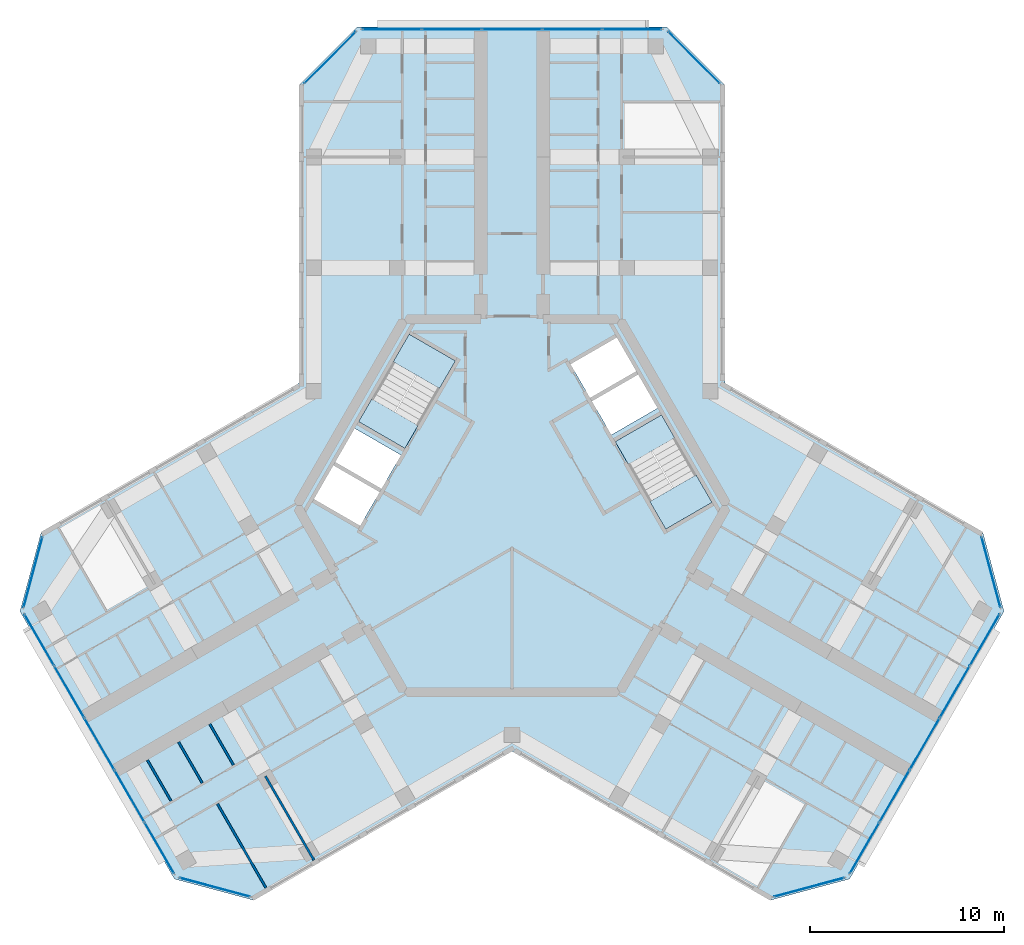
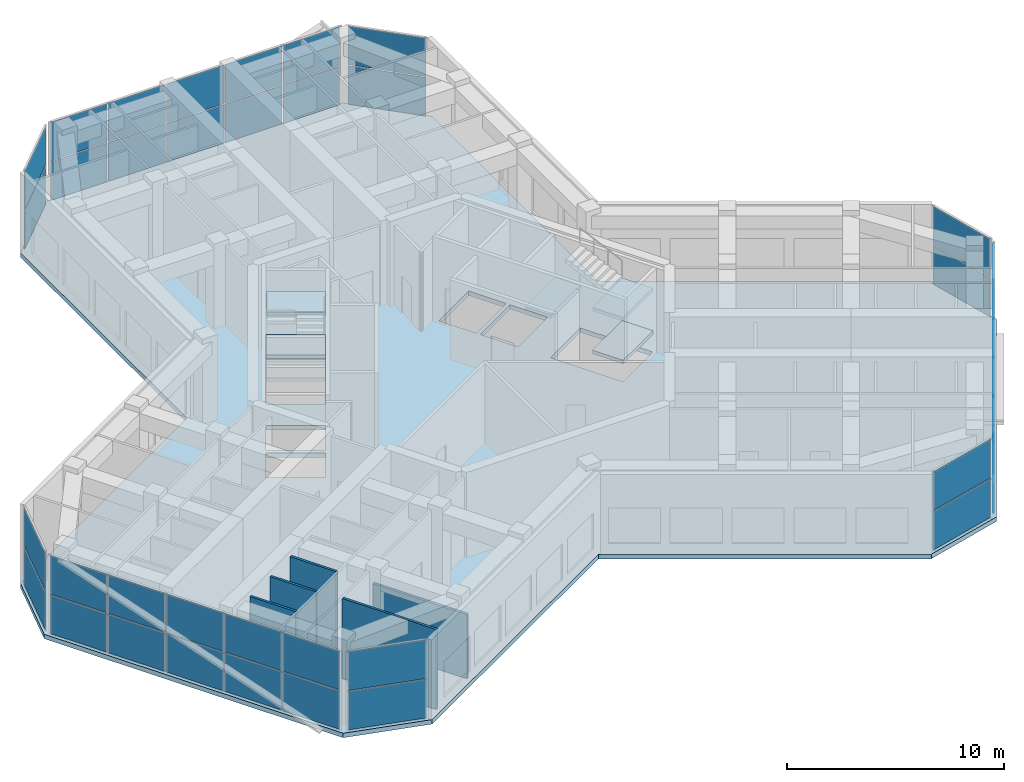
# One storey, part 6 of 14: 42 plates, 7 slabs, 5 walls, 11 elements without a shape of their own.
"""IFC4 building model written with IfcOpenShell, lengths in metres."""

from ifc_helpers import new_model, si_unit, direction, frame, frame_2d, origin, origin_2d, place, context, subcontext, project, spatial, polyline, rectangle, outline, extrude, material, layer, layer_set, type_object, element, aggregate, save


model = new_model("IFC4")

# Units and contexts
model_context = context("Model", 3, precision=1e-05, world=origin(), true_north=direction((0.0, 1.0)))
body_context = subcontext(model_context, "Body", "Model", "MODEL_VIEW")
ifc_project = project(units=[si_unit("LENGTHUNIT", "METRE"), si_unit("AREAUNIT", "SQUARE_METRE"), si_unit("VOLUMEUNIT", "CUBIC_METRE"), si_unit("PLANEANGLEUNIT", "RADIAN"), si_unit("MASSUNIT", "GRAM", prefix="KILO")], contexts=[model_context])

# Site, building, storey
site_placement = place(None, origin())
site = spatial("IfcSite", under=ifc_project, at=site_placement, CompositionType="ELEMENT")
building_placement = place(site_placement, origin())
building = spatial("IfcBuilding", under=site, at=building_placement, Name="Kosmar Iwan School Tower", CompositionType="ELEMENT")
storey_placement = place(building_placement, frame((0.0, 0.0, 296.199951171875)))
storey = spatial("IfcBuildingStorey", under=building, at=storey_placement, Name="L75", CompositionType="ELEMENT", Elevation=296.199951171875)

# Curtain wall, plates
ifc_material_1 = material(Name="Dark glass in black aluminium frame", Category="aluminium")
curtain_wall_type = type_object("IfcCurtainWallType", Name="Top floor curtain wall", PredefinedType="USERDEFINED", material=ifc_material_1)
curtain_wall_1_placement = place(storey_placement, origin())
curtain_wall_1 = element("IfcCurtainWall", 1, at=curtain_wall_1_placement, inside=storey, type_object=curtain_wall_type, Name="Curtain wall L75-F02", ObjectType="FULL HEIGHT CURTAIN WALL", PredefinedType="USERDEFINED")
ifc_material_2 = material(Name="Dark glass", Category="glass")
ifc_layer_1 = layer(ifc_material_2, 0.028076171875)
ifc_layer_set_1 = layer_set([ifc_layer_1], Name="Dark glass panel 28")
plate_type = type_object("IfcPlateType", Name="Dark glass panel 28", PredefinedType="CURTAIN_PANEL", material=ifc_layer_set_1)
plate_1_placement = place(storey_placement, frame((15.291015625, -19.63818359375, 0.06005859375), z_axis=(0.0, 0.0, 1.0), x_axis=(0.965925875495, 0.258818861462, 0.0)))
plate_1 = element("IfcPlate", 2, at=plate_1_placement, type_object=plate_type, Name="CW5 panel 1.1", PredefinedType="CURTAIN_PANEL", context=body_context, shape_type="SweptSolid", body=[
    extrude(rectangle(XDim=3.718994140625, YDim=0.028076171875, at=origin_2d()), origin(), (0.0, 0.0, 1.0), 2.159912109375),
])
plate_2_placement = place(storey_placement, frame((15.291015625, -19.63818359375, 2.2802734375), z_axis=(0.0, 0.0, 1.0), x_axis=(0.965925875495, 0.258818861462, 0.0)))
plate_2 = element("IfcPlate", 3, at=plate_2_placement, type_object=plate_type, Name="CW5 panel 1.2", PredefinedType="CURTAIN_PANEL", context=body_context, shape_type="SweptSolid", body=[
    extrude(rectangle(XDim=3.718994140625, YDim=0.028076171875, at=origin_2d()), origin(), (0.0, 0.0, 1.0), 2.159912109375),
])
aggregate(curtain_wall_1, [plate_1, plate_2])

curtain_wall_2_placement = place(storey_placement, origin())
curtain_wall_2 = element("IfcCurtainWall", 4, at=curtain_wall_2_placement, inside=storey, type_object=curtain_wall_type, Name="Curtain wall L75-F03", ObjectType="FULL HEIGHT CURTAIN WALL", PredefinedType="USERDEFINED")
plate_3_placement = place(storey_placement, frame((18.1474609375, -17.61767578125, 0.06005859375), z_axis=(0.0, 0.0, 1.0), x_axis=(0.499999997325, 0.866025405329, 0.0)))
plate_3 = element("IfcPlate", 5, at=plate_3_placement, type_object=plate_type, Name="CW5 panel 1.1", PredefinedType="CURTAIN_PANEL", context=body_context, shape_type="SweptSolid", body=[
    extrude(rectangle(XDim=3.00927734375, YDim=0.028076171875, at=origin_2d()), origin(), (0.0, 0.0, 1.0), 2.159912109375),
])
plate_4_placement = place(storey_placement, frame((18.1474609375, -17.61767578125, 2.2802734375), z_axis=(0.0, 0.0, 1.0), x_axis=(0.499999997325, 0.866025405329, 0.0)))
plate_4 = element("IfcPlate", 6, at=plate_4_placement, type_object=plate_type, Name="CW5 panel 1.2", PredefinedType="CURTAIN_PANEL", context=body_context, shape_type="SweptSolid", body=[
    extrude(rectangle(XDim=3.00927734375, YDim=0.028076171875, at=origin_2d()), origin(), (0.0, 0.0, 1.0), 2.159912109375),
])
plate_5_placement = place(storey_placement, frame((19.689697265625, -14.946533203125, 0.06005859375), z_axis=(0.0, 0.0, 1.0), x_axis=(0.499999997325, 0.866025405329, 0.0)))
plate_5 = element("IfcPlate", 7, at=plate_5_placement, type_object=plate_type, Name="CW5 panel 2.1", PredefinedType="CURTAIN_PANEL", context=body_context, shape_type="SweptSolid", body=[
    extrude(rectangle(XDim=3.039306640625, YDim=0.028076171875, at=origin_2d()), origin(), (0.0, 0.0, 1.0), 2.159912109375),
])
plate_6_placement = place(storey_placement, frame((19.689697265625, -14.946533203125, 2.2802734375), z_axis=(0.0, 0.0, 1.0), x_axis=(0.499999997325, 0.866025405329, 0.0)))
plate_6 = element("IfcPlate", 8, at=plate_6_placement, type_object=plate_type, Name="CW5 panel 2.2", PredefinedType="CURTAIN_PANEL", context=body_context, shape_type="SweptSolid", body=[
    extrude(rectangle(XDim=3.039306640625, YDim=0.028076171875, at=origin_2d()), origin(), (0.0, 0.0, 1.0), 2.159912109375),
])
plate_7_placement = place(storey_placement, frame((21.2392578125, -12.262451171875, 0.06005859375), z_axis=(0.0, 0.0, 1.0), x_axis=(0.499999997325, 0.866025405329, 0.0)))
plate_7 = element("IfcPlate", 9, at=plate_7_placement, type_object=plate_type, Name="CW5 panel 3.1", PredefinedType="CURTAIN_PANEL", context=body_context, shape_type="SweptSolid", body=[
    extrude(rectangle(XDim=3.039306640625, YDim=0.028076171875, at=origin_2d()), origin(), (0.0, 0.0, 1.0), 2.159912109375),
])
plate_8_placement = place(storey_placement, frame((21.2392578125, -12.262451171875, 2.2802734375), z_axis=(0.0, 0.0, 1.0), x_axis=(0.499999997325, 0.866025405329, 0.0)))
plate_8 = element("IfcPlate", 10, at=plate_8_placement, type_object=plate_type, Name="CW5 panel 3.2", PredefinedType="CURTAIN_PANEL", context=body_context, shape_type="SweptSolid", body=[
    extrude(rectangle(XDim=3.039306640625, YDim=0.028076171875, at=origin_2d()), origin(), (0.0, 0.0, 1.0), 2.159912109375),
])
plate_9_placement = place(storey_placement, frame((22.788818359375, -9.578369140625, 0.06005859375), z_axis=(0.0, 0.0, 1.0), x_axis=(0.499999997325, 0.866025405329, 0.0)))
plate_9 = element("IfcPlate", 11, at=plate_9_placement, type_object=plate_type, Name="CW5 panel 4.1", PredefinedType="CURTAIN_PANEL", context=body_context, shape_type="SweptSolid", body=[
    extrude(rectangle(XDim=3.039306640625, YDim=0.028076171875, at=origin_2d()), origin(), (0.0, 0.0, 1.0), 2.159912109375),
])
plate_10_placement = place(storey_placement, frame((22.788818359375, -9.578369140625, 2.2802734375), z_axis=(0.0, 0.0, 1.0), x_axis=(0.499999997325, 0.866025405329, 0.0)))
plate_10 = element("IfcPlate", 12, at=plate_10_placement, type_object=plate_type, Name="CW5 panel 4.2", PredefinedType="CURTAIN_PANEL", context=body_context, shape_type="SweptSolid", body=[
    extrude(rectangle(XDim=3.039306640625, YDim=0.028076171875, at=origin_2d()), origin(), (0.0, 0.0, 1.0), 2.159912109375),
])
plate_11_placement = place(storey_placement, frame((24.3310546875, -6.907470703125, 0.06005859375), z_axis=(0.0, 0.0, 1.0), x_axis=(0.499999997325, 0.866025405329, 0.0)))
plate_11 = element("IfcPlate", 13, at=plate_11_placement, type_object=plate_type, Name="CW5 panel 5.1", PredefinedType="CURTAIN_PANEL", context=body_context, shape_type="SweptSolid", body=[
    extrude(rectangle(XDim=3.00927734375, YDim=0.028076171875, at=origin_2d()), origin(), (0.0, 0.0, 1.0), 2.159912109375),
])
plate_12_placement = place(storey_placement, frame((24.3310546875, -6.907470703125, 2.2802734375), z_axis=(0.0, 0.0, 1.0), x_axis=(0.499999997325, 0.866025405329, 0.0)))
plate_12 = element("IfcPlate", 14, at=plate_12_placement, type_object=plate_type, Name="CW5 panel 5.2", PredefinedType="CURTAIN_PANEL", context=body_context, shape_type="SweptSolid", body=[
    extrude(rectangle(XDim=3.00927734375, YDim=0.028076171875, at=origin_2d()), origin(), (0.0, 0.0, 1.0), 2.159912109375),
])
aggregate(curtain_wall_2, [plate_3, plate_4, plate_5, plate_6, plate_7, plate_8, plate_9, plate_10, plate_11, plate_12])

curtain_wall_3_placement = place(storey_placement, origin())
curtain_wall_3 = element("IfcCurtainWall", 15, at=curtain_wall_3_placement, inside=storey, type_object=curtain_wall_type, Name="Curtain wall L75-F04", ObjectType="FULL HEIGHT CURTAIN WALL", PredefinedType="USERDEFINED")
plate_13_placement = place(storey_placement, frame((24.65283203125, -3.42333984375, 0.06005859375), z_axis=(0.0, 0.0, 1.0), x_axis=(-0.258818861462, 0.965925875495, 0.0)))
plate_13 = element("IfcPlate", 16, at=plate_13_placement, type_object=plate_type, Name="CW5 panel 1.1", PredefinedType="CURTAIN_PANEL", context=body_context, shape_type="SweptSolid", body=[
    extrude(rectangle(XDim=3.718994140625, YDim=0.028076171875, at=origin_2d()), origin(), (0.0, 0.0, 1.0), 2.159912109375),
])
plate_14_placement = place(storey_placement, frame((24.65283203125, -3.42333984375, 2.2802734375), z_axis=(0.0, 0.0, 1.0), x_axis=(-0.258818861462, 0.965925875495, 0.0)))
plate_14 = element("IfcPlate", 17, at=plate_14_placement, type_object=plate_type, Name="CW5 panel 1.2", PredefinedType="CURTAIN_PANEL", context=body_context, shape_type="SweptSolid", body=[
    extrude(rectangle(XDim=3.718994140625, YDim=0.028076171875, at=origin_2d()), origin(), (0.0, 0.0, 1.0), 2.159912109375),
])
aggregate(curtain_wall_3, [plate_13, plate_14])

curtain_wall_4_placement = place(storey_placement, origin())
curtain_wall_4 = element("IfcCurtainWall", 18, at=curtain_wall_4_placement, inside=storey, type_object=curtain_wall_type, Name="Curtain wall L75-F07", ObjectType="FULL HEIGHT CURTAIN WALL", PredefinedType="USERDEFINED")
plate_15_placement = place(storey_placement, frame((9.361572265625, 23.0615234375, 0.06005859375), z_axis=(0.0, 0.0, 1.0), x_axis=(-0.707106781187, 0.707106781187, 0.0)))
plate_15 = element("IfcPlate", 19, at=plate_15_placement, type_object=plate_type, Name="CW5 panel 1.1", PredefinedType="CURTAIN_PANEL", context=body_context, shape_type="SweptSolid", body=[
    extrude(rectangle(XDim=3.718994140625, YDim=0.028076171875, at=origin_2d()), origin(), (0.0, 0.0, 1.0), 2.159912109375),
])
plate_16_placement = place(storey_placement, frame((9.361572265625, 23.0615234375, 2.2802734375), z_axis=(0.0, 0.0, 1.0), x_axis=(-0.707106781187, 0.707106781187, 0.0)))
plate_16 = element("IfcPlate", 20, at=plate_16_placement, type_object=plate_type, Name="CW5 panel 1.2", PredefinedType="CURTAIN_PANEL", context=body_context, shape_type="SweptSolid", body=[
    extrude(rectangle(XDim=3.718994140625, YDim=0.028076171875, at=origin_2d()), origin(), (0.0, 0.0, 1.0), 2.159912109375),
])
aggregate(curtain_wall_4, [plate_15, plate_16])

curtain_wall_5_placement = place(storey_placement, origin())
curtain_wall_5 = element("IfcCurtainWall", 21, at=curtain_wall_5_placement, inside=storey, type_object=curtain_wall_type, Name="Curtain wall L75-F08", ObjectType="FULL HEIGHT CURTAIN WALL", PredefinedType="USERDEFINED")
plate_17_placement = place(storey_placement, frame((6.18359375, 24.52490234375, 0.06005859375), z_axis=(0.0, 0.0, 1.0), x_axis=(-1.0, 0.0, 0.0)))
plate_17 = element("IfcPlate", 22, at=plate_17_placement, type_object=plate_type, Name="CW5 panel 1.1", PredefinedType="CURTAIN_PANEL", context=body_context, shape_type="SweptSolid", body=[
    extrude(rectangle(XDim=3.00927734375, YDim=0.028076171875, at=origin_2d()), origin(), (0.0, 0.0, 1.0), 2.159912109375),
])
plate_18_placement = place(storey_placement, frame((6.18359375, 24.52490234375, 2.2802734375), z_axis=(0.0, 0.0, 1.0), x_axis=(-1.0, 0.0, 0.0)))
plate_18 = element("IfcPlate", 23, at=plate_18_placement, type_object=plate_type, Name="CW5 panel 1.2", PredefinedType="CURTAIN_PANEL", context=body_context, shape_type="SweptSolid", body=[
    extrude(rectangle(XDim=3.00927734375, YDim=0.028076171875, at=origin_2d()), origin(), (0.0, 0.0, 1.0), 2.159912109375),
])
plate_19_placement = place(storey_placement, frame((3.099365234375, 24.52490234375, 0.06005859375), z_axis=(0.0, 0.0, 1.0), x_axis=(-1.0, 0.0, 0.0)))
plate_19 = element("IfcPlate", 24, at=plate_19_placement, type_object=plate_type, Name="CW5 panel 2.1", PredefinedType="CURTAIN_PANEL", context=body_context, shape_type="SweptSolid", body=[
    extrude(rectangle(XDim=3.039306640625, YDim=0.028076171875, at=origin_2d()), origin(), (0.0, 0.0, 1.0), 2.159912109375),
])
plate_20_placement = place(storey_placement, frame((3.099365234375, 24.52490234375, 2.2802734375), z_axis=(0.0, 0.0, 1.0), x_axis=(-1.0, 0.0, 0.0)))
plate_20 = element("IfcPlate", 25, at=plate_20_placement, type_object=plate_type, Name="CW5 panel 2.2", PredefinedType="CURTAIN_PANEL", context=body_context, shape_type="SweptSolid", body=[
    extrude(rectangle(XDim=3.039306640625, YDim=0.028076171875, at=origin_2d()), origin(), (0.0, 0.0, 1.0), 2.159912109375),
])
plate_21_placement = place(storey_placement, frame((0.0, 24.52490234375, 0.06005859375), z_axis=(0.0, 0.0, 1.0), x_axis=(-1.0, 0.0, 0.0)))
plate_21 = element("IfcPlate", 26, at=plate_21_placement, type_object=plate_type, Name="CW5 panel 3.1", PredefinedType="CURTAIN_PANEL", context=body_context, shape_type="SweptSolid", body=[
    extrude(rectangle(XDim=3.039306640625, YDim=0.028076171875, at=origin_2d()), origin(), (0.0, 0.0, 1.0), 2.159912109375),
])
plate_22_placement = place(storey_placement, frame((0.0, 24.52490234375, 2.2802734375), z_axis=(0.0, 0.0, 1.0), x_axis=(-1.0, 0.0, 0.0)))
plate_22 = element("IfcPlate", 27, at=plate_22_placement, type_object=plate_type, Name="CW5 panel 3.2", PredefinedType="CURTAIN_PANEL", context=body_context, shape_type="SweptSolid", body=[
    extrude(rectangle(XDim=3.039306640625, YDim=0.028076171875, at=origin_2d()), origin(), (0.0, 0.0, 1.0), 2.159912109375),
])
plate_23_placement = place(storey_placement, frame((-3.099365234375, 24.52490234375, 0.06005859375), z_axis=(0.0, 0.0, 1.0), x_axis=(-1.0, 0.0, 0.0)))
plate_23 = element("IfcPlate", 28, at=plate_23_placement, type_object=plate_type, Name="CW5 panel 4.1", PredefinedType="CURTAIN_PANEL", context=body_context, shape_type="SweptSolid", body=[
    extrude(rectangle(XDim=3.039306640625, YDim=0.028076171875, at=origin_2d()), origin(), (0.0, 0.0, 1.0), 2.159912109375),
])
plate_24_placement = place(storey_placement, frame((-3.099365234375, 24.52490234375, 2.2802734375), z_axis=(0.0, 0.0, 1.0), x_axis=(-1.0, 0.0, 0.0)))
plate_24 = element("IfcPlate", 29, at=plate_24_placement, type_object=plate_type, Name="CW5 panel 4.2", PredefinedType="CURTAIN_PANEL", context=body_context, shape_type="SweptSolid", body=[
    extrude(rectangle(XDim=3.039306640625, YDim=0.028076171875, at=origin_2d()), origin(), (0.0, 0.0, 1.0), 2.159912109375),
])
plate_25_placement = place(storey_placement, frame((-6.18359375, 24.52490234375, 0.06005859375), z_axis=(0.0, 0.0, 1.0), x_axis=(-1.0, 0.0, 0.0)))
plate_25 = element("IfcPlate", 30, at=plate_25_placement, type_object=plate_type, Name="CW5 panel 5.1", PredefinedType="CURTAIN_PANEL", context=body_context, shape_type="SweptSolid", body=[
    extrude(rectangle(XDim=3.00927734375, YDim=0.028076171875, at=origin_2d()), origin(), (0.0, 0.0, 1.0), 2.159912109375),
])
plate_26_placement = place(storey_placement, frame((-6.18359375, 24.52490234375, 2.2802734375), z_axis=(0.0, 0.0, 1.0), x_axis=(-1.0, 0.0, 0.0)))
plate_26 = element("IfcPlate", 31, at=plate_26_placement, type_object=plate_type, Name="CW5 panel 5.2", PredefinedType="CURTAIN_PANEL", context=body_context, shape_type="SweptSolid", body=[
    extrude(rectangle(XDim=3.00927734375, YDim=0.028076171875, at=origin_2d()), origin(), (0.0, 0.0, 1.0), 2.159912109375),
])
aggregate(curtain_wall_5, [plate_17, plate_18, plate_19, plate_20, plate_21, plate_22, plate_23, plate_24, plate_25, plate_26])

curtain_wall_6_placement = place(storey_placement, origin())
curtain_wall_6 = element("IfcCurtainWall", 32, at=curtain_wall_6_placement, inside=storey, type_object=curtain_wall_type, Name="Curtain wall L75-F09", ObjectType="FULL HEIGHT CURTAIN WALL", PredefinedType="USERDEFINED")
plate_27_placement = place(storey_placement, frame((-9.361572265625, 23.0615234375, 0.06005859375), z_axis=(0.0, 0.0, 1.0), x_axis=(-0.707106781187, -0.707106781187, 0.0)))
plate_27 = element("IfcPlate", 33, at=plate_27_placement, type_object=plate_type, Name="CW5 panel 1.1", PredefinedType="CURTAIN_PANEL", context=body_context, shape_type="SweptSolid", body=[
    extrude(rectangle(XDim=3.718994140625, YDim=0.028076171875, at=origin_2d()), origin(), (0.0, 0.0, 1.0), 2.159912109375),
])
plate_28_placement = place(storey_placement, frame((-9.361572265625, 23.0615234375, 2.2802734375), z_axis=(0.0, 0.0, 1.0), x_axis=(-0.707106781187, -0.707106781187, 0.0)))
plate_28 = element("IfcPlate", 34, at=plate_28_placement, type_object=plate_type, Name="CW5 panel 1.2", PredefinedType="CURTAIN_PANEL", context=body_context, shape_type="SweptSolid", body=[
    extrude(rectangle(XDim=3.718994140625, YDim=0.028076171875, at=origin_2d()), origin(), (0.0, 0.0, 1.0), 2.159912109375),
])
aggregate(curtain_wall_6, [plate_27, plate_28])

curtain_wall_7_placement = place(storey_placement, origin())
curtain_wall_7 = element("IfcCurtainWall", 35, at=curtain_wall_7_placement, inside=storey, type_object=curtain_wall_type, Name="Curtain wall L75-F12", ObjectType="FULL HEIGHT CURTAIN WALL", PredefinedType="USERDEFINED")
plate_29_placement = place(storey_placement, frame((-24.65283203125, -3.42333984375, 0.06005859375), z_axis=(0.0, 0.0, 1.0), x_axis=(-0.258818861462, -0.965925875495, 0.0)))
plate_29 = element("IfcPlate", 36, at=plate_29_placement, type_object=plate_type, Name="CW5 panel 1.1", PredefinedType="CURTAIN_PANEL", context=body_context, shape_type="SweptSolid", body=[
    extrude(rectangle(XDim=3.718994140625, YDim=0.028076171875, at=origin_2d()), origin(), (0.0, 0.0, 1.0), 2.159912109375),
])
plate_30_placement = place(storey_placement, frame((-24.65283203125, -3.42333984375, 2.2802734375), z_axis=(0.0, 0.0, 1.0), x_axis=(-0.258818861462, -0.965925875495, 0.0)))
plate_30 = element("IfcPlate", 37, at=plate_30_placement, type_object=plate_type, Name="CW5 panel 1.2", PredefinedType="CURTAIN_PANEL", context=body_context, shape_type="SweptSolid", body=[
    extrude(rectangle(XDim=3.718994140625, YDim=0.028076171875, at=origin_2d()), origin(), (0.0, 0.0, 1.0), 2.159912109375),
])
aggregate(curtain_wall_7, [plate_29, plate_30])

curtain_wall_8_placement = place(storey_placement, origin())
curtain_wall_8 = element("IfcCurtainWall", 38, at=curtain_wall_8_placement, inside=storey, type_object=curtain_wall_type, Name="Curtain wall L75-F13", ObjectType="FULL HEIGHT CURTAIN WALL", PredefinedType="USERDEFINED")
plate_31_placement = place(storey_placement, frame((-24.3310546875, -6.907470703125, 0.06005859375), z_axis=(0.0, 0.0, 1.0), x_axis=(0.499999997325, -0.866025405329, 0.0)))
plate_31 = element("IfcPlate", 39, at=plate_31_placement, type_object=plate_type, Name="CW5 panel 1.1", PredefinedType="CURTAIN_PANEL", context=body_context, shape_type="SweptSolid", body=[
    extrude(rectangle(XDim=3.00927734375, YDim=0.028076171875, at=origin_2d()), origin(), (0.0, 0.0, 1.0), 2.159912109375),
])
plate_32_placement = place(storey_placement, frame((-24.3310546875, -6.907470703125, 2.2802734375), z_axis=(0.0, 0.0, 1.0), x_axis=(0.499999997325, -0.866025405329, 0.0)))
plate_32 = element("IfcPlate", 40, at=plate_32_placement, type_object=plate_type, Name="CW5 panel 1.2", PredefinedType="CURTAIN_PANEL", context=body_context, shape_type="SweptSolid", body=[
    extrude(rectangle(XDim=3.00927734375, YDim=0.028076171875, at=origin_2d()), origin(), (0.0, 0.0, 1.0), 2.159912109375),
])
plate_33_placement = place(storey_placement, frame((-22.788818359375, -9.578369140625, 0.06005859375), z_axis=(0.0, 0.0, 1.0), x_axis=(0.499999997325, -0.866025405329, 0.0)))
plate_33 = element("IfcPlate", 41, at=plate_33_placement, type_object=plate_type, Name="CW5 panel 2.1", PredefinedType="CURTAIN_PANEL", context=body_context, shape_type="SweptSolid", body=[
    extrude(rectangle(XDim=3.039306640625, YDim=0.028076171875, at=origin_2d()), origin(), (0.0, 0.0, 1.0), 2.159912109375),
])
plate_34_placement = place(storey_placement, frame((-22.788818359375, -9.578369140625, 2.2802734375), z_axis=(0.0, 0.0, 1.0), x_axis=(0.499999997325, -0.866025405329, 0.0)))
plate_34 = element("IfcPlate", 42, at=plate_34_placement, type_object=plate_type, Name="CW5 panel 2.2", PredefinedType="CURTAIN_PANEL", context=body_context, shape_type="SweptSolid", body=[
    extrude(rectangle(XDim=3.039306640625, YDim=0.028076171875, at=origin_2d()), origin(), (0.0, 0.0, 1.0), 2.159912109375),
])
plate_35_placement = place(storey_placement, frame((-21.2392578125, -12.262451171875, 0.06005859375), z_axis=(0.0, 0.0, 1.0), x_axis=(0.499999997325, -0.866025405329, 0.0)))
plate_35 = element("IfcPlate", 43, at=plate_35_placement, type_object=plate_type, Name="CW5 panel 3.1", PredefinedType="CURTAIN_PANEL", context=body_context, shape_type="SweptSolid", body=[
    extrude(rectangle(XDim=3.039306640625, YDim=0.028076171875, at=origin_2d()), origin(), (0.0, 0.0, 1.0), 2.159912109375),
])
plate_36_placement = place(storey_placement, frame((-21.2392578125, -12.262451171875, 2.2802734375), z_axis=(0.0, 0.0, 1.0), x_axis=(0.499999997325, -0.866025405329, 0.0)))
plate_36 = element("IfcPlate", 44, at=plate_36_placement, type_object=plate_type, Name="CW5 panel 3.2", PredefinedType="CURTAIN_PANEL", context=body_context, shape_type="SweptSolid", body=[
    extrude(rectangle(XDim=3.039306640625, YDim=0.028076171875, at=origin_2d()), origin(), (0.0, 0.0, 1.0), 2.159912109375),
])
plate_37_placement = place(storey_placement, frame((-19.689697265625, -14.946533203125, 0.06005859375), z_axis=(0.0, 0.0, 1.0), x_axis=(0.499999997325, -0.866025405329, 0.0)))
plate_37 = element("IfcPlate", 45, at=plate_37_placement, type_object=plate_type, Name="CW5 panel 4.1", PredefinedType="CURTAIN_PANEL", context=body_context, shape_type="SweptSolid", body=[
    extrude(rectangle(XDim=3.039306640625, YDim=0.028076171875, at=origin_2d()), origin(), (0.0, 0.0, 1.0), 2.159912109375),
])
plate_38_placement = place(storey_placement, frame((-19.689697265625, -14.946533203125, 2.2802734375), z_axis=(0.0, 0.0, 1.0), x_axis=(0.499999997325, -0.866025405329, 0.0)))
plate_38 = element("IfcPlate", 46, at=plate_38_placement, type_object=plate_type, Name="CW5 panel 4.2", PredefinedType="CURTAIN_PANEL", context=body_context, shape_type="SweptSolid", body=[
    extrude(rectangle(XDim=3.039306640625, YDim=0.028076171875, at=origin_2d()), origin(), (0.0, 0.0, 1.0), 2.159912109375),
])
plate_39_placement = place(storey_placement, frame((-18.1474609375, -17.61767578125, 0.06005859375), z_axis=(0.0, 0.0, 1.0), x_axis=(0.499999997325, -0.866025405329, 0.0)))
plate_39 = element("IfcPlate", 47, at=plate_39_placement, type_object=plate_type, Name="CW5 panel 5.1", PredefinedType="CURTAIN_PANEL", context=body_context, shape_type="SweptSolid", body=[
    extrude(rectangle(XDim=3.00927734375, YDim=0.028076171875, at=origin_2d()), origin(), (0.0, 0.0, 1.0), 2.159912109375),
])
plate_40_placement = place(storey_placement, frame((-18.1474609375, -17.61767578125, 2.2802734375), z_axis=(0.0, 0.0, 1.0), x_axis=(0.499999997325, -0.866025405329, 0.0)))
plate_40 = element("IfcPlate", 48, at=plate_40_placement, type_object=plate_type, Name="CW5 panel 5.2", PredefinedType="CURTAIN_PANEL", context=body_context, shape_type="SweptSolid", body=[
    extrude(rectangle(XDim=3.00927734375, YDim=0.028076171875, at=origin_2d()), origin(), (0.0, 0.0, 1.0), 2.159912109375),
])
aggregate(curtain_wall_8, [plate_31, plate_32, plate_33, plate_34, plate_35, plate_36, plate_37, plate_38, plate_39, plate_40])

curtain_wall_9_placement = place(storey_placement, origin())
curtain_wall_9 = element("IfcCurtainWall", 49, at=curtain_wall_9_placement, inside=storey, type_object=curtain_wall_type, Name="Curtain wall L75-F14", ObjectType="FULL HEIGHT CURTAIN WALL", PredefinedType="USERDEFINED")
plate_41_placement = place(storey_placement, frame((-15.291015625, -19.63818359375, 0.06005859375), z_axis=(0.0, 0.0, 1.0), x_axis=(0.965925875495, -0.258818861462, 0.0)))
plate_41 = element("IfcPlate", 50, at=plate_41_placement, type_object=plate_type, Name="CW5 panel 1.1", PredefinedType="CURTAIN_PANEL", context=body_context, shape_type="SweptSolid", body=[
    extrude(rectangle(XDim=3.718994140625, YDim=0.028076171875, at=origin_2d()), origin(), (0.0, 0.0, 1.0), 2.159912109375),
])
plate_42_placement = place(storey_placement, frame((-15.291015625, -19.63818359375, 2.2802734375), z_axis=(0.0, 0.0, 1.0), x_axis=(0.965925875495, -0.258818861462, 0.0)))
plate_42 = element("IfcPlate", 51, at=plate_42_placement, type_object=plate_type, Name="CW5 panel 1.2", PredefinedType="CURTAIN_PANEL", context=body_context, shape_type="SweptSolid", body=[
    extrude(rectangle(XDim=3.718994140625, YDim=0.028076171875, at=origin_2d()), origin(), (0.0, 0.0, 1.0), 2.159912109375),
])
aggregate(curtain_wall_9, [plate_41, plate_42])

# Slab
ifc_material_3 = material(Name="Concrete C35/45", Category="concrete")
ifc_layer_2 = layer(ifc_material_3, 0.25)
ifc_layer_set_2 = layer_set([ifc_layer_2], Name="Floor slab 250")
slab_type_1 = type_object("IfcSlabType", Name="Floor slab 250", PredefinedType="FLOOR", material=ifc_layer_set_2)
slab_1_placement = place(storey_placement, frame((0.0, 0.0, -0.25)))
element("IfcSlab", 52, at=slab_1_placement, inside=storey, type_object=slab_type_1, Name="L75 floor slab", PredefinedType="FLOOR", context=body_context, shape_type="SweptSolid", body=[
    extrude(outline(polyline([(-13.2744140625, -20.307861328125), (0.0, -12.64404296875), (13.2744140625, -20.307861328125), (17.37255859375, -19.2099609375), (25.322509765625, -5.440185546875), (24.224365234375, -1.342041015625), (10.949951171875, 6.322021484375), (10.949951171875, 21.64990234375), (7.949951171875, 24.64990234375), (-7.949951171875, 24.64990234375), (-10.949951171875, 21.64990234375), (-10.949951171875, 6.322021484375), (-24.224365234375, -1.342041015625), (-25.322509765625, -5.440185546875), (-17.37255859375, -19.2099609375), (-13.2744140625, -20.307861328125)]), holes=[polyline([(7.91259765625, -1.205078125), (10.294189453125, 0.169921875), (8.3642578125, 3.5126953125), (5.982666015625, 2.1376953125), (7.91259765625, -1.205078125)]), polyline([(-2.91259765625, 7.455078125), (-5.294189453125, 8.830078125), (-7.22412109375, 5.4873046875), (-4.8427734375, 4.1123046875), (-2.91259765625, 7.455078125)]), polyline([(-5.712646484375, 2.60546875), (-8.09423828125, 3.98046875), (-9.09423828125, 2.248291015625), (-6.712646484375, 0.873291015625), (-5.712646484375, 2.60546875)]), polyline([(-6.812744140625, 0.7001953125), (-9.1943359375, 2.0751953125), (-10.1943359375, 0.343017578125), (-7.812744140625, -1.031982421875), (-6.812744140625, 0.7001953125)]), polyline([(5.112548828125, 3.64453125), (7.494140625, 5.01953125), (6.494140625, 6.751708984375), (4.112548828125, 5.376708984375), (5.112548828125, 3.64453125)]), polyline([(4.0126953125, 5.5498046875), (6.394287109375, 6.9248046875), (5.394287109375, 8.656982421875), (3.0126953125, 7.281982421875), (4.0126953125, 5.5498046875)])]), origin(), (0.0, 0.0, 1.0), 0.25),
])

# Stair, slabs
ifc_material_4 = material(Name="Concrete C35/45", Category="concrete")
stair_type = type_object("IfcStairType", Name="Core stair 2750", PredefinedType="HALF_TURN_STAIR", material=ifc_material_4)
stair_1_placement = place(storey_placement, origin())
stair_1 = element("IfcStair", 53, at=stair_1_placement, inside=storey, type_object=stair_type, Name="Stair ST2 L75", PredefinedType="HALF_TURN_STAIR")
ifc_material_5 = material(Name="Concrete C35/45", Category="concrete")
ifc_layer_3 = layer(ifc_material_5, 0.199951171875)
ifc_layer_set_3 = layer_set([ifc_layer_3], Name="Stair landing 200")
slab_type_2 = type_object("IfcSlabType", Name="Stair landing 200", PredefinedType="LANDING", material=ifc_layer_set_3)
slab_2_placement = place(storey_placement, frame((0.0, 0.0, 1.0)))
slab_2 = element("IfcSlab", 54, at=slab_2_placement, type_object=slab_type_2, Name="ST2 landing 1", PredefinedType="LANDING", context=body_context, shape_type="SweptSolid", body=[
    extrude(outline(polyline([(-2.91259765625, 7.455078125), (-5.294189453125, 8.830078125), (-6.1142578125, 7.409912109375), (-3.732666015625, 6.034912109375), (-2.91259765625, 7.455078125)])), origin(), (0.0, 0.0, 1.0), 0.199951171875),
])
slab_3_placement = place(storey_placement, frame((0.0, 0.0, 2.199951171875)))
slab_3 = element("IfcSlab", 55, at=slab_3_placement, type_object=slab_type_2, Name="ST2 landing 2", PredefinedType="LANDING", context=body_context, shape_type="SweptSolid", body=[
    extrude(outline(polyline([(-4.832763671875, 4.129638671875), (-7.214111328125, 5.504638671875), (-7.894287109375, 4.326904296875), (-5.5126953125, 2.951904296875), (-4.832763671875, 4.129638671875)])), origin(), (0.0, 0.0, 1.0), 0.2001953125),
])
slab_4_placement = place(storey_placement, frame((0.0, 0.0, 3.400146484375)))
slab_4 = element("IfcSlab", 56, at=slab_4_placement, type_object=slab_type_2, Name="ST2 landing 3", PredefinedType="LANDING", context=body_context, shape_type="SweptSolid", body=[
    extrude(outline(polyline([(-2.91259765625, 7.455078125), (-5.294189453125, 8.830078125), (-6.1142578125, 7.409912109375), (-3.732666015625, 6.034912109375), (-2.91259765625, 7.455078125)])), origin(), (0.0, 0.0, 1.0), 0.199951171875),
])
aggregate(stair_1, [slab_2, slab_3, slab_4])

stair_2_placement = place(storey_placement, origin())
stair_2 = element("IfcStair", 57, at=stair_2_placement, inside=storey, type_object=stair_type, Name="Stair ST1 L75", PredefinedType="HALF_TURN_STAIR")
slab_5_placement = place(storey_placement, frame((0.0, 0.0, 1.0)))
slab_5 = element("IfcSlab", 58, at=slab_5_placement, type_object=slab_type_2, Name="ST1 landing 1", PredefinedType="LANDING", context=body_context, shape_type="SweptSolid", body=[
    extrude(outline(polyline([(7.91259765625, -1.205078125), (10.294189453125, 0.169921875), (9.47412109375, 1.590087890625), (7.0927734375, 0.215087890625), (7.91259765625, -1.205078125)])), origin(), (0.0, 0.0, 1.0), 0.199951171875),
])
slab_6_placement = place(storey_placement, frame((0.0, 0.0, 2.199951171875)))
slab_6 = element("IfcSlab", 59, at=slab_6_placement, type_object=slab_type_2, Name="ST1 landing 2", PredefinedType="LANDING", context=body_context, shape_type="SweptSolid", body=[
    extrude(outline(polyline([(5.99267578125, 2.120361328125), (8.374267578125, 3.495361328125), (7.6943359375, 4.673095703125), (5.312744140625, 3.298095703125), (5.99267578125, 2.120361328125)])), origin(), (0.0, 0.0, 1.0), 0.2001953125),
])
slab_7_placement = place(storey_placement, frame((0.0, 0.0, 3.400146484375)))
slab_7 = element("IfcSlab", 60, at=slab_7_placement, type_object=slab_type_2, Name="ST1 landing 3", PredefinedType="LANDING", context=body_context, shape_type="SweptSolid", body=[
    extrude(outline(polyline([(7.91259765625, -1.205078125), (10.294189453125, 0.169921875), (9.47412109375, 1.590087890625), (7.0927734375, 0.215087890625), (7.91259765625, -1.205078125)])), origin(), (0.0, 0.0, 1.0), 0.199951171875),
])
aggregate(stair_2, [slab_5, slab_6, slab_7])

# Walls
ifc_material_6 = material(Name="Gypsum board on steel studs", Category="steel")
ifc_layer_4 = layer(ifc_material_6, 0.1201171875)
ifc_layer_set_4 = layer_set([ifc_layer_4], Name="Dwelling partition 120")
wall_type = type_object("IfcWallType", Name="Dwelling partition 120", PredefinedType="PARTITIONING", material=ifc_layer_set_4)
wall_1_placement = place(storey_placement, frame((-12.690185546875, -13.919921875, 0.0), z_axis=(0.0, 0.0, 1.0), x_axis=(0.500011847778, -0.866018563358, 0.0)))
element("IfcWall", 61, at=wall_1_placement, inside=storey, type_object=wall_type, Name="Partition L75-BL1-X1", PredefinedType="PARTITIONING", context=body_context, shape_type="SweptSolid", body=[
    extrude(rectangle(XDim=4.990234375, YDim=0.1201171875, at=frame_2d((2.4951171875, 0.0))), origin(), (0.0, 0.0, 1.0), 3.60009765625),
])
wall_2_placement = place(storey_placement, frame((-15.158447265625, -15.344970703125, 0.0), z_axis=(0.0, 0.0, 1.0), x_axis=(0.500011847778, -0.866018563358, 0.0)))
element("IfcWall", 62, at=wall_2_placement, inside=storey, type_object=wall_type, Name="Partition L75-BL1-X2", PredefinedType="PARTITIONING", context=body_context, shape_type="SweptSolid", body=[
    extrude(rectangle(XDim=4.990234375, YDim=0.1201171875, at=frame_2d((2.4951171875, 0.0))), origin(), (0.0, 0.0, 1.0), 4.5),
])
wall_3_placement = place(storey_placement, frame((-15.55615234375, -11.23291015625, 0.0), z_axis=(0.0, 0.0, 1.0), x_axis=(0.499959183527, -0.866048967903, 0.0)))
element("IfcWall", 63, at=wall_3_placement, inside=storey, type_object=wall_type, Name="Partition L75-BL1-Y4", PredefinedType="PARTITIONING", context=body_context, shape_type="SweptSolid", body=[
    extrude(rectangle(XDim=2.440185546875, YDim=0.1201171875, at=frame_2d((1.22021484375, 0.0))), origin(), (0.0, 0.0, 1.0), 4.5),
])
for number, where, z_axis, x_axis, name in (
    (64, (-17.16162109375, -12.159912109375, 0.0), (0.0, 0.0, 1.0), (0.500002508028, -0.866023955769, 0.0), "Partition L75-BL1-Y5"),
    (65, (-18.76708984375, -13.0869140625, 0.0), (0.0, 0.0, 1.0), (0.500002508028, -0.866023955769, 0.0), "Partition L75-BL1-Y6"),
):
    element("IfcWall", number, at=place(storey_placement, frame(where, z_axis=z_axis, x_axis=x_axis)), inside=storey, type_object=wall_type, Name=name, PredefinedType="PARTITIONING", context=body_context, shape_type="SweptSolid", body=[
        extrude(rectangle(XDim=2.43994140625, YDim=0.1201171875, at=frame_2d((1.219970703125, 0.0))), origin(), (0.0, 0.0, 1.0), 4.5),
    ])

save(model, "model.ifc")
